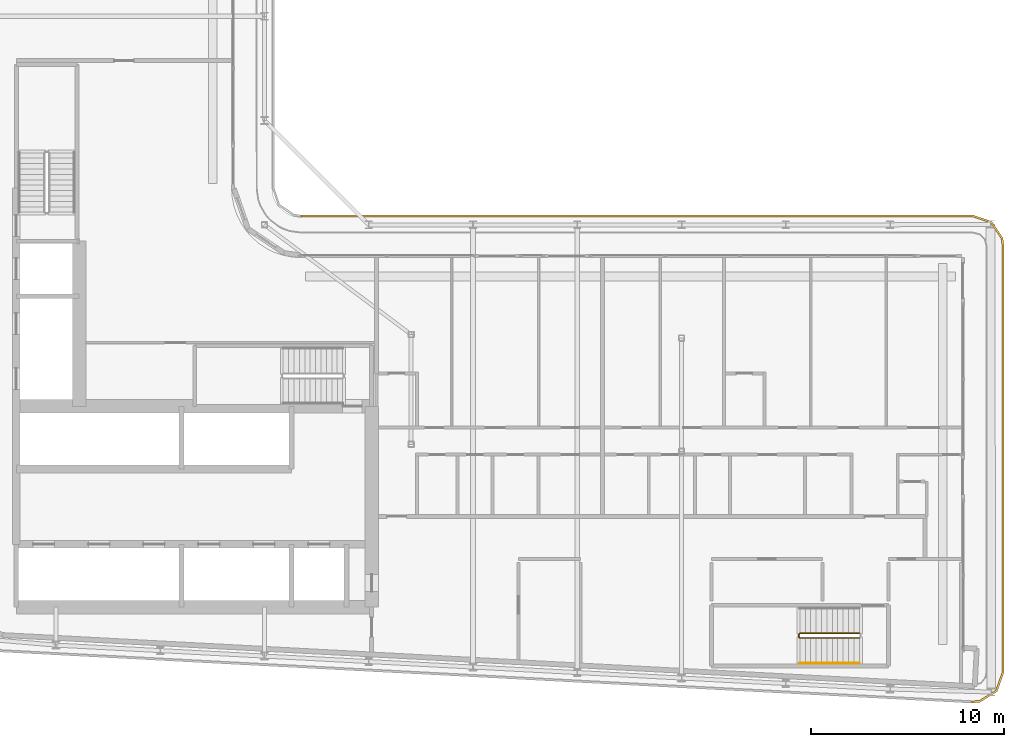
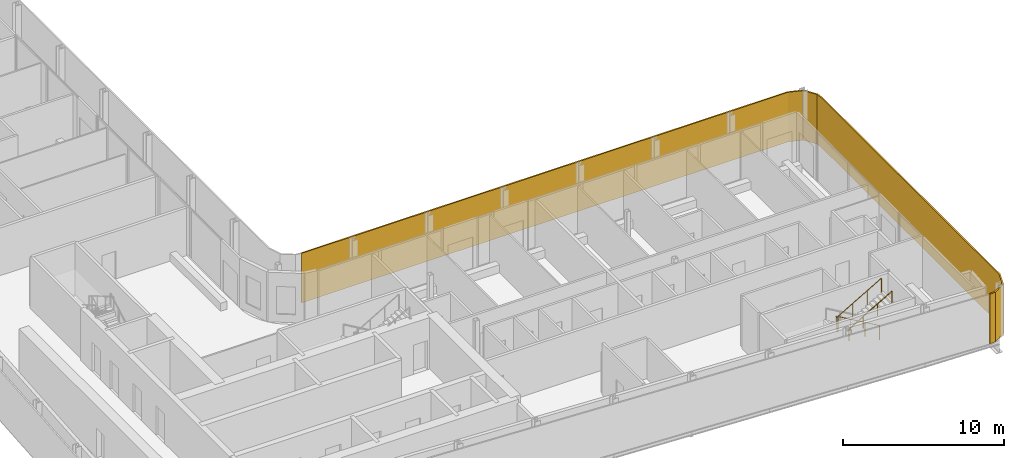
# One storey, part 19 of 23: 2 railings, 1 shading device.
"""IFC4 building model written with IfcOpenShell, lengths in metres."""

from ifc_helpers import new_model, si_unit, direction, frame, origin, origin_2d, place, context, subcontext, project, spatial, polyline, circle, outline, extrude, material, layer, layer_set, type_object, element, save


model = new_model("IFC4")

# Units and contexts
model_context = context("Model", 3, precision=1e-05, world=origin(), true_north=direction((0.0, 1.0)))
body_context = subcontext(model_context, "Body", "Model", "MODEL_VIEW")
ifc_project = project(units=[si_unit("LENGTHUNIT", "METRE"), si_unit("AREAUNIT", "SQUARE_METRE"), si_unit("VOLUMEUNIT", "CUBIC_METRE"), si_unit("PLANEANGLEUNIT", "RADIAN"), si_unit("MASSUNIT", "GRAM", prefix="KILO")], contexts=[model_context])

# Site, building, storey
site_placement = place(None, origin())
site = spatial("IfcSite", under=ifc_project, at=site_placement, CompositionType="ELEMENT")
building_placement = place(site_placement, origin())
building = spatial("IfcBuilding", under=site, at=building_placement, Name="Kheshtan School and Residences Tower", CompositionType="ELEMENT")
storey_placement = place(building_placement, frame((0.0, 0.0, 259.10009765625)))
storey = spatial("IfcBuildingStorey", under=building, at=storey_placement, Name="L61", CompositionType="ELEMENT", Elevation=259.10009765625)

# Shading device
ifc_material_1 = material(Name="Terracotta lattice, extruded ceramic", Category="masonry")
ifc_layer = layer(ifc_material_1, 0.10009765625)
ifc_layer_set = layer_set([ifc_layer], Name="Loggia screen, terracotta lattice")
shading_device_type = type_object("IfcShadingDeviceType", Name="Loggia screen, terracotta lattice", PredefinedType="USERDEFINED", material=ifc_layer_set)
shading_device_placement = place(storey_placement, origin())
element("IfcShadingDevice", 1, at=shading_device_placement, inside=storey, type_object=shading_device_type, Name="Screen L61 2", ObjectType="SCREEN", PredefinedType="USERDEFINED", context=body_context, shape_type="SweptSolid", body=[
    extrude(outline(polyline([(49.5, 46.0), (84.300048828125, 46.0), (85.212890625, 45.68994140625), (85.7490234375, 44.887939453125), (85.800048828125, 44.5), (85.800048828125, 22.43408203125), (85.469970703125, 21.4951171875), (84.6240234375, 20.968994140625), (84.220947265625, 20.93603515625), (84.22900390625, 20.8359375), (84.656005859375, 20.87109375), (85.552978515625, 21.428955078125), (85.89990234375, 22.4169921875), (85.89990234375, 44.507080078125), (85.844970703125, 44.924072265625), (85.277099609375, 45.77392578125), (84.31689453125, 46.10009765625), (49.5, 46.10009765625), (49.5, 46.0)])), origin(), (0.0, 0.0, 1.0), 3.75),
])

# Railings
ifc_material_2 = material(Name="Stainless steel balustrade", Category="steel")
railing_type_1 = type_object("IfcRailingType", Name="Stair guard 1100", PredefinedType="GUARDRAIL", material=ifc_material_2)
railing_1_placement = place(storey_placement, frame((78.409912109375, 24.449951171875, 0.162353515625)))
element("IfcRailing", 2, at=railing_1_placement, inside=storey, type_object=railing_type_1, Name="L61 ST5 stair guard 1", PredefinedType="GUARDRAIL", context=body_context, shape_type="SweptSolid", body=[
    extrude(circle(Radius=0.02392578125, at=origin_2d()), frame((0.0, 0.0, 1.076171875), z_axis=(-0.864873446163, 0.0, 0.501989962173), x_axis=(0.0, -1.0, 0.0)), (0.0, 0.0, 1.0), 3.56103515625),
    extrude(circle(Radius=0.02392578125, at=origin_2d()), frame((-3.079833984375, 0.0, 2.86376953125), z_axis=(-0.707106781187, -0.707106781187, 0.0), x_axis=(0.707106781187, -0.707106781187, 0.0)), (0.0, 0.0, 1.0), 0.07080078125),
    extrude(circle(Radius=0.02392578125, at=origin_2d()), frame((-3.1298828125, -0.050048828125, 2.86376953125), z_axis=(0.0, -1.0, 0.0), x_axis=(1.0, 0.0, 0.0)), (0.0, 0.0, 1.0), 0.14990234375),
    extrude(circle(Radius=0.02392578125, at=origin_2d()), frame((-3.1298828125, -0.199951171875, 2.86376953125), z_axis=(0.282583949758, -0.282583949758, 0.916674763849), x_axis=(0.707106781187, 0.707106781187, 0.0)), (0.0, 0.0, 1.0), 0.177001953125),
    extrude(circle(Radius=0.02392578125, at=origin_2d()), frame((-3.079833984375, -0.25, 3.02587890625), z_axis=(0.864873446163, 0.0, 0.501989962173), x_axis=(0.0, 1.0, 0.0)), (0.0, 0.0, 1.0), 3.56103515625),
    extrude(circle(Radius=0.02099609375, at=origin_2d()), origin(), (0.0, 0.0, 1.0), 1.052001953125),
    extrude(circle(Radius=0.02099609375, at=origin_2d()), frame((-1.026611328125, 0.0, 0.595947265625)), (0.0, 0.0, 1.0), 1.052001953125),
    extrude(circle(Radius=0.02099609375, at=origin_2d()), frame((-2.05322265625, 0.0, 1.191650390625)), (0.0, 0.0, 1.0), 1.052001953125),
    extrude(circle(Radius=0.02099609375, at=origin_2d()), frame((-3.079833984375, 0.0, 1.78759765625)), (0.0, 0.0, 1.0), 1.052001953125),
    extrude(circle(Radius=0.02099609375, at=origin_2d()), frame((-3.1298828125, -0.050048828125, 1.78759765625)), (0.0, 0.0, 1.0), 1.052001953125),
    extrude(circle(Radius=0.02099609375, at=origin_2d()), frame((-3.1298828125, -0.199951171875, 1.78759765625)), (0.0, 0.0, 1.0), 1.052001953125),
    extrude(circle(Radius=0.02099609375, at=origin_2d()), frame((-3.079833984375, -0.25, 1.949951171875)), (0.0, 0.0, 1.0), 1.052001953125),
    extrude(circle(Radius=0.02099609375, at=origin_2d()), frame((-2.05322265625, -0.25, 2.5458984375)), (0.0, 0.0, 1.0), 1.052001953125),
    extrude(circle(Radius=0.02099609375, at=origin_2d()), frame((-1.026611328125, -0.25, 3.1416015625)), (0.0, 0.0, 1.0), 1.052001953125),
    extrude(circle(Radius=0.02099609375, at=origin_2d()), frame((0.0, -0.25, 3.737548828125)), (0.0, 0.0, 1.0), 1.052001953125),
])
ifc_material_3 = material(Name="Stainless steel handrail", Category="steel")
railing_type_2 = type_object("IfcRailingType", Name="Stair handrail 900", PredefinedType="HANDRAIL", material=ifc_material_3)
railing_2_placement = place(storey_placement, frame((75.330078125, 22.89990234375, 2.1123046875)))
element("IfcRailing", 3, at=railing_2_placement, inside=storey, type_object=railing_type_2, Name="L61 ST5 stair handrail 2", PredefinedType="HANDRAIL", context=body_context, shape_type="SweptSolid", body=[
    extrude(circle(Radius=0.02392578125, at=origin_2d()), frame((0.0, 0.0, 0.8759765625), z_axis=(0.864873446163, 0.0, 0.501989962173), x_axis=(0.0, 1.0, 0.0)), (0.0, 0.0, 1.0), 3.56103515625),
    extrude(circle(Radius=0.02099609375, at=origin_2d()), origin(), (0.0, 0.0, 1.0), 0.851806640625),
    extrude(circle(Radius=0.02099609375, at=origin_2d()), frame((1.026611328125, 0.0, 0.595947265625)), (0.0, 0.0, 1.0), 0.851806640625),
    extrude(circle(Radius=0.02099609375, at=origin_2d()), frame((2.05322265625, 0.0, 1.191650390625)), (0.0, 0.0, 1.0), 0.851806640625),
    extrude(circle(Radius=0.02099609375, at=origin_2d()), frame((3.079833984375, 0.0, 1.78759765625)), (0.0, 0.0, 1.0), 0.851806640625),
])

save(model, "model.ifc")
